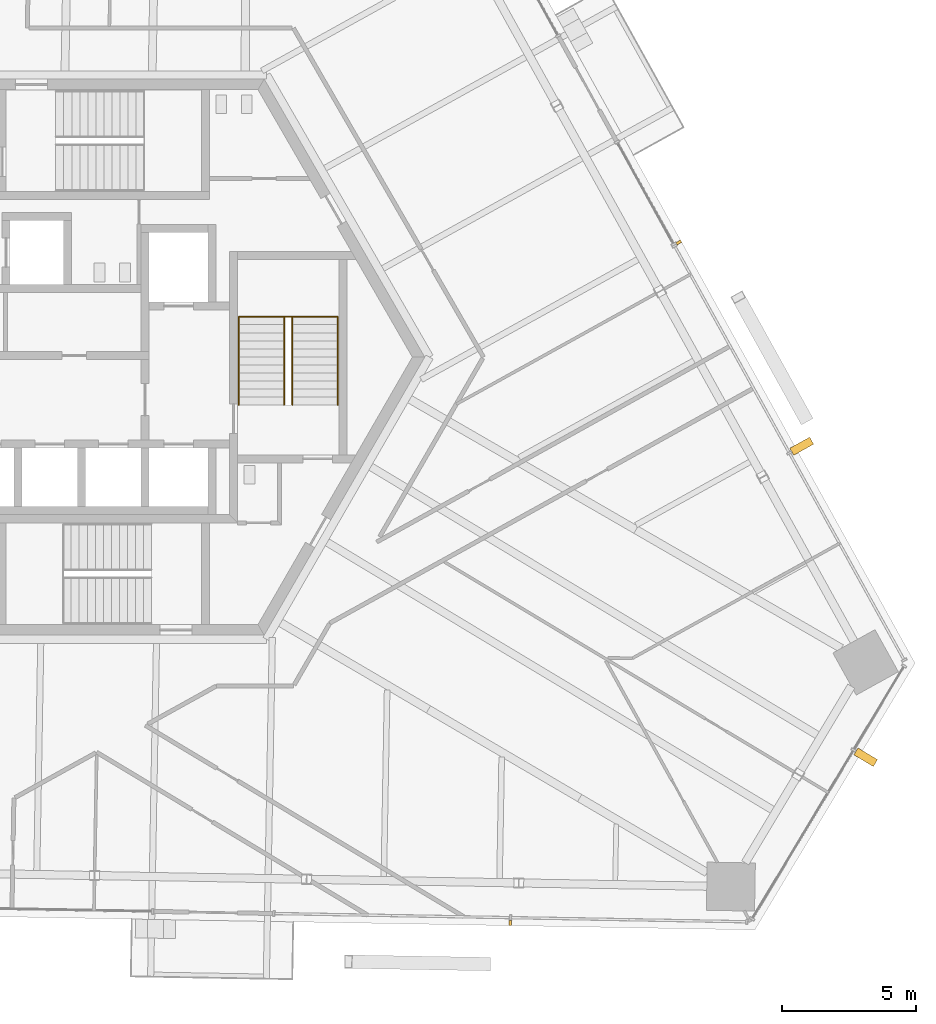
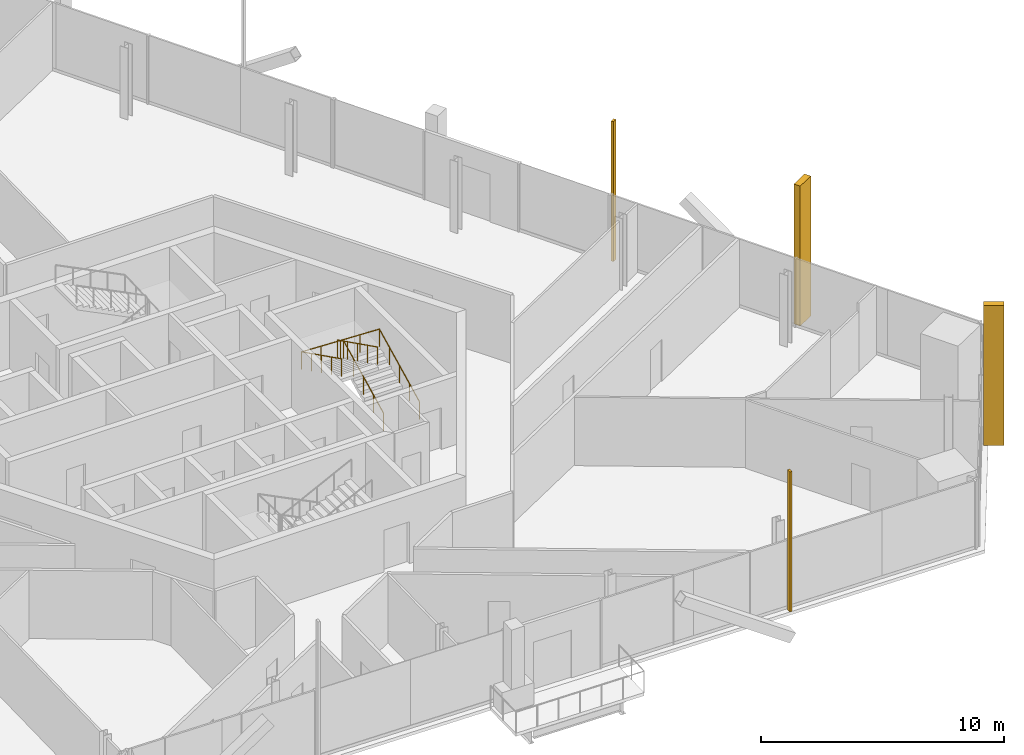
# One storey, part 17 of 21: 4 shading devices, 2 railings.
"""IFC4 building model written with IfcOpenShell, lengths in metres."""

from ifc_helpers import new_model, si_unit, direction, frame, origin, origin_2d, place, context, subcontext, project, spatial, rectangle, circle, extrude, source, transform, mapped, material, type_object, element, save


model = new_model("IFC4")

# Units and contexts
model_context = context("Model", 3, precision=1e-05, world=origin(), true_north=direction((0.0, 1.0)))
body_context = subcontext(model_context, "Body", "Model", "MODEL_VIEW")
ifc_project = project(units=[si_unit("LENGTHUNIT", "METRE"), si_unit("AREAUNIT", "SQUARE_METRE"), si_unit("VOLUMEUNIT", "CUBIC_METRE"), si_unit("PLANEANGLEUNIT", "RADIAN"), si_unit("MASSUNIT", "GRAM", prefix="KILO")], contexts=[model_context])

# Site, building, storey
site_placement = place(None, origin())
site = spatial("IfcSite", under=ifc_project, at=site_placement, CompositionType="ELEMENT")
building_placement = place(site_placement, origin())
building = spatial("IfcBuilding", under=site, at=building_placement, Name="Triune Harvest Tower", CompositionType="ELEMENT")
storey_placement = place(building_placement, frame((0.0, 0.0, 187.10009765625)))
storey = spatial("IfcBuildingStorey", under=building, at=storey_placement, Name="L48", CompositionType="ELEMENT", Elevation=187.10009765625)

# Railings
ifc_material_1 = material(Name="Stainless steel AISI 316", Category="steel")
railing_type = type_object("IfcRailingType", Name="Stair handrail", PredefinedType="HANDRAIL", material=ifc_material_1)
shared_shape_1 = source(origin(), body_context, "Body", "SweptSolid", [
    extrude(circle(Radius=0.02392578125, at=origin_2d()), frame((0.0, 0.0, 0.8759765625), z_axis=(0.0, 0.894440424912, 0.447187126696), x_axis=(-1.0, 0.0, 0.0)), (0.0, 0.0, 1.0), 3.689453125),
    extrude(circle(Radius=0.02392578125, at=origin_2d()), frame((0.0, 3.300048828125, 2.52587890625), z_axis=(-0.999177620331, 0.0, 0.040547293732), x_axis=(0.0, -1.0, 0.0)), (0.0, 0.0, 1.0), 3.702880859375),
    extrude(circle(Radius=0.02392578125, at=origin_2d()), frame((-3.699951171875, 3.300048828125, 2.67578125), z_axis=(0.0, -0.894440424912, 0.447187126696), x_axis=(1.0, 0.0, 0.0)), (0.0, 0.0, 1.0), 3.689453125),
    extrude(circle(Radius=0.02099609375, at=origin_2d()), origin(), (0.0, 0.0, 1.0), 0.851806640625),
    extrude(circle(Radius=0.02099609375, at=origin_2d()), frame((0.0, 0.824951171875, 0.41259765625)), (0.0, 0.0, 1.0), 0.851806640625),
    extrude(circle(Radius=0.02099609375, at=origin_2d()), frame((0.0, 1.64990234375, 0.824951171875)), (0.0, 0.0, 1.0), 0.851806640625),
    extrude(circle(Radius=0.02099609375, at=origin_2d()), frame((0.0, 2.47509765625, 1.2373046875)), (0.0, 0.0, 1.0), 0.851806640625),
    extrude(circle(Radius=0.02099609375, at=origin_2d()), frame((0.0, 3.300048828125, 1.64990234375)), (0.0, 0.0, 1.0), 0.851806640625),
    extrude(circle(Radius=0.02099609375, at=origin_2d()), frame((-0.925048828125, 3.300048828125, 1.6875)), (0.0, 0.0, 1.0), 0.851806640625),
    extrude(circle(Radius=0.02099609375, at=origin_2d()), frame((-1.85009765625, 3.300048828125, 1.72509765625)), (0.0, 0.0, 1.0), 0.851806640625),
    extrude(circle(Radius=0.02099609375, at=origin_2d()), frame((-2.77490234375, 3.300048828125, 1.762451171875)), (0.0, 0.0, 1.0), 0.851806640625),
    extrude(circle(Radius=0.02099609375, at=origin_2d()), frame((-3.699951171875, 3.300048828125, 1.800048828125)), (0.0, 0.0, 1.0), 0.851806640625),
    extrude(circle(Radius=0.02099609375, at=origin_2d()), frame((-3.699951171875, 2.47509765625, 2.21240234375)), (0.0, 0.0, 1.0), 0.851806640625),
    extrude(circle(Radius=0.02099609375, at=origin_2d()), frame((-3.699951171875, 1.64990234375, 2.625)), (0.0, 0.0, 1.0), 0.851806640625),
    extrude(circle(Radius=0.02099609375, at=origin_2d()), frame((-3.699951171875, 0.824951171875, 3.03759765625)), (0.0, 0.0, 1.0), 0.851806640625),
    extrude(circle(Radius=0.02099609375, at=origin_2d()), frame((-3.699951171875, 0.0, 3.449951171875)), (0.0, 0.0, 1.0), 0.851806640625),
])
railing_1_placement = place(storey_placement, frame((8.75, -1.7900390625, 0.14990234375)))
element("IfcRailing", 1, at=railing_1_placement, inside=storey, type_object=railing_type, Name="Exit stair east wall handrail", PredefinedType="HANDRAIL", context=body_context, shape_type="MappedRepresentation", body=[
    mapped(shared_shape_1, transform((0.0, 0.0, 0.0), scale=1.0)),
])
shared_shape_2 = source(origin(), body_context, "Body", "SweptSolid", [
    extrude(circle(Radius=0.02392578125, at=origin_2d()), frame((0.0, 0.0, 0.8759765625), z_axis=(0.0, 0.894440424912, 0.447187126696), x_axis=(-1.0, 0.0, 0.0)), (0.0, 0.0, 1.0), 3.689453125),
    extrude(circle(Radius=0.02392578125, at=origin_2d()), frame((0.0, 3.300048828125, 2.52587890625), z_axis=(-0.894281613681, 0.0, 0.447504631744), x_axis=(0.0, -1.0, 0.0)), (0.0, 0.0, 1.0), 0.33544921875),
    extrude(circle(Radius=0.02392578125, at=origin_2d()), frame((-0.300048828125, 3.300048828125, 2.67578125), z_axis=(0.0, -0.894440424912, 0.447187126696), x_axis=(1.0, 0.0, 0.0)), (0.0, 0.0, 1.0), 3.689453125),
    extrude(circle(Radius=0.02099609375, at=origin_2d()), origin(), (0.0, 0.0, 1.0), 0.851806640625),
    extrude(circle(Radius=0.02099609375, at=origin_2d()), frame((0.0, 0.824951171875, 0.41259765625)), (0.0, 0.0, 1.0), 0.851806640625),
    extrude(circle(Radius=0.02099609375, at=origin_2d()), frame((0.0, 1.64990234375, 0.824951171875)), (0.0, 0.0, 1.0), 0.851806640625),
    extrude(circle(Radius=0.02099609375, at=origin_2d()), frame((0.0, 2.47509765625, 1.2373046875)), (0.0, 0.0, 1.0), 0.851806640625),
    extrude(circle(Radius=0.02099609375, at=origin_2d()), frame((0.0, 3.300048828125, 1.64990234375)), (0.0, 0.0, 1.0), 0.851806640625),
    extrude(circle(Radius=0.02099609375, at=origin_2d()), frame((-0.300048828125, 3.300048828125, 1.800048828125)), (0.0, 0.0, 1.0), 0.851806640625),
    extrude(circle(Radius=0.02099609375, at=origin_2d()), frame((-0.300048828125, 2.47509765625, 2.21240234375)), (0.0, 0.0, 1.0), 0.851806640625),
    extrude(circle(Radius=0.02099609375, at=origin_2d()), frame((-0.300048828125, 1.64990234375, 2.625)), (0.0, 0.0, 1.0), 0.851806640625),
    extrude(circle(Radius=0.02099609375, at=origin_2d()), frame((-0.300048828125, 0.824951171875, 3.03759765625)), (0.0, 0.0, 1.0), 0.851806640625),
    extrude(circle(Radius=0.02099609375, at=origin_2d()), frame((-0.300048828125, 0.0, 3.449951171875)), (0.0, 0.0, 1.0), 0.851806640625),
])
railing_2_placement = place(storey_placement, frame((7.050048828125, -1.7900390625, 0.14990234375)))
element("IfcRailing", 2, at=railing_2_placement, inside=storey, type_object=railing_type, Name="Exit stair east centre handrail", PredefinedType="HANDRAIL", context=body_context, shape_type="MappedRepresentation", body=[
    mapped(shared_shape_2, transform((0.0, 0.0, 0.0), scale=1.0)),
])

# Shading devices
ifc_material_2 = material(Name="Aluminium bronze anodised", Category="aluminium")
shared_shape_3 = source(origin(), body_context, "Body", "SweptSolid", [
    extrude(rectangle(XDim=0.10009765625, YDim=0.199951171875, at=origin_2d()), origin(), (0.0, 0.0, 1.0), 7.0400390625),
])
for number, where, z_axis, x_axis, name in (
    (3, (21.49462890625, 4.28515625, 0.0), (0.0, 0.0, 1.0), (-0.48480848305, 0.874620337497, 0.0), "FN-1 fin B5-F1.5 L48"),
    (4, (15.200439453125, -21.1455078125, 0.0), (0.0, 0.0, 1.0), (0.999847708228, -0.017451657526, 0.0), "FN-1 fin B5-F5.10 L48"),
):
    element("IfcShadingDevice", number, at=place(storey_placement, frame(where, z_axis=z_axis, x_axis=x_axis)), inside=storey, material=ifc_material_2, Name=name, ObjectType="FIN", PredefinedType="USERDEFINED", context=body_context, shape_type="MappedRepresentation", body=[
        mapped(shared_shape_3, transform((0.0, 0.0, 0.0), scale=1.0)),
    ])
shared_shape_4 = source(origin(), body_context, "Body", "SweptSolid", [
    extrude(rectangle(XDim=0.300048828125, YDim=0.85009765625, at=origin_2d()), origin(), (0.0, 0.0, 1.0), 7.0400390625),
])
for number, where, z_axis, x_axis, name in (
    (5, (26.08642578125, -3.32861328125, 0.0), (0.0, 0.0, 1.0), (-0.48480848305, 0.874620337497, 0.0), "FN-2 fin B5-F1.3 L48"),
    (6, (28.4765625, -14.9521484375, 0.0), (0.0, 0.0, 1.0), (0.515036685882, 0.857168135313, 0.0), "FN-2 fin B5-F6.3 L48"),
):
    element("IfcShadingDevice", number, at=place(storey_placement, frame(where, z_axis=z_axis, x_axis=x_axis)), inside=storey, material=ifc_material_2, Name=name, ObjectType="FIN", PredefinedType="USERDEFINED", context=body_context, shape_type="MappedRepresentation", body=[
        mapped(shared_shape_4, transform((0.0, 0.0, 0.0), scale=1.0)),
    ])

save(model, "model.ifc")
